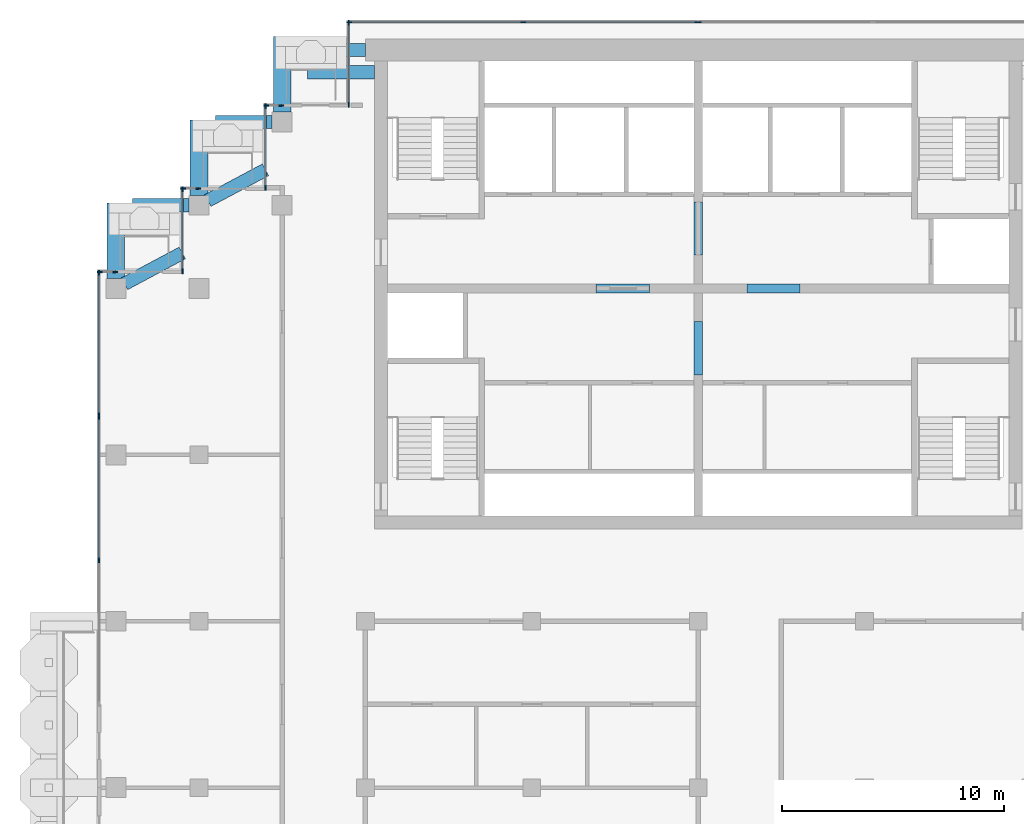
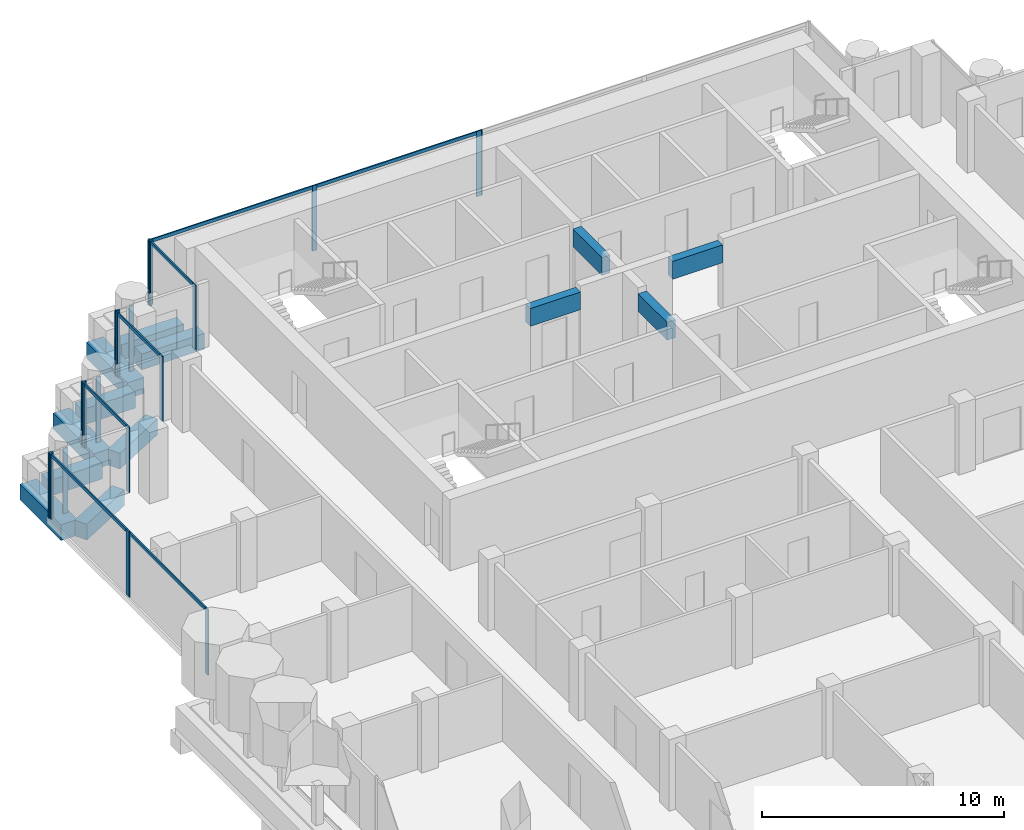
# One storey, part 5 of 18: 27 members, 13 beams, 10 elements without a shape of their own.
"""IFC4 building model written with IfcOpenShell, lengths in metres."""

from ifc_helpers import new_model, si_unit, direction, frame, origin, origin_2d, place, context, subcontext, project, spatial, rectangle, extrude, material, material_profile, profile_set, type_object, element, aggregate, save


model = new_model("IFC4")

# Units and contexts
model_context = context("Model", 3, precision=1e-05, world=origin(), true_north=direction((0.0, 1.0)))
body_context = subcontext(model_context, "Body", "Model", "MODEL_VIEW")
ifc_project = project(units=[si_unit("LENGTHUNIT", "METRE"), si_unit("AREAUNIT", "SQUARE_METRE"), si_unit("VOLUMEUNIT", "CUBIC_METRE"), si_unit("PLANEANGLEUNIT", "RADIAN"), si_unit("MASSUNIT", "GRAM", prefix="KILO")], contexts=[model_context])

# Site, building, storey
site_placement = place(None, origin())
site = spatial("IfcSite", under=ifc_project, at=site_placement, CompositionType="ELEMENT")
building_placement = place(site_placement, origin())
building = spatial("IfcBuilding", under=site, at=building_placement, Name="Pilkhan Gate Tower", CompositionType="ELEMENT")
storey_placement = place(building_placement, frame((0.0, 0.0, 231.89990234375)))
storey = spatial("IfcBuildingStorey", under=building, at=storey_placement, Name="L60", CompositionType="ELEMENT", Elevation=231.89990234375)

# Beams
ifc_material_1 = material(Name="Concrete C50/60", Category="concrete")
ifc_material_profile_1 = material_profile(ifc_material_1, rectangle(XDim=0.60009765625, YDim=0.800048828125, at=origin_2d()), Name="RC 600x800")
ifc_profile_set_1 = profile_set([ifc_material_profile_1], Name="Concrete C50/60")
beam_type_1 = type_object("IfcBeamType", Name="Cantilever beam CB1 RC 600x800 C50/60", PredefinedType="BEAM", material=ifc_profile_set_1)
for number, where, z_axis, x_axis, name in (
    (1, (60.0, 93.25, -0.699951171875), (-1.0, 0.0, 0.0), (0.0, -1.0, 0.0), "Balcony beam NW.2 L60"),
    (2, (60.39990234375, 92.25, -0.699951171875), (-1.0, 0.0, 0.0), (0.0, -1.0, 0.0), "Balcony beam NW.3 L60"),
):
    element("IfcBeam", number, at=place(storey_placement, frame(where, z_axis=z_axis, x_axis=x_axis)), inside=storey, type_object=beam_type_1, Name=name, PredefinedType="BEAM", context=body_context, shape_type="SweptSolid", body=[
        extrude(rectangle(XDim=0.60009765625, YDim=0.800048828125, at=origin_2d()), origin(), (0.0, 0.0, 1.0), 3.0),
    ])
beam_1_placement = place(storey_placement, frame((55.800048828125, 90.0, -0.699951171875), z_axis=(-1.0, 0.0, 0.0), x_axis=(0.0, -1.0, 0.0)))
element("IfcBeam", 3, at=beam_1_placement, inside=storey, type_object=beam_type_1, Name="Balcony beam NW1.2 L60", PredefinedType="BEAM", context=body_context, shape_type="SweptSolid", body=[
    extrude(rectangle(XDim=0.60009765625, YDim=0.800048828125, at=origin_2d()), origin(), (0.0, 0.0, 1.0), 2.550048828125),
])
beam_2_placement = place(storey_placement, frame((52.89697265625, 86.461669921875, -0.699951171875), z_axis=(0.882332323202, 0.470626891957, 0.0), x_axis=(-0.470626891957, 0.882332323202, 0.0)))
element("IfcBeam", 4, at=beam_2_placement, inside=storey, type_object=beam_type_1, Name="Balcony beam NW1.3 L60", PredefinedType="BEAM", context=body_context, shape_type="SweptSolid", body=[
    extrude(rectangle(XDim=0.60009765625, YDim=0.800048828125, at=origin_2d()), origin(), (0.0, 0.0, 1.0), 2.9501953125),
])
beam_3_placement = place(storey_placement, frame((52.050048828125, 86.25, -0.699951171875), z_axis=(-1.0, 0.0, 0.0), x_axis=(0.0, -1.0, 0.0)))
element("IfcBeam", 5, at=beam_3_placement, inside=storey, type_object=beam_type_1, Name="Balcony beam NW2.2 L60", PredefinedType="BEAM", context=body_context, shape_type="SweptSolid", body=[
    extrude(rectangle(XDim=0.60009765625, YDim=0.800048828125, at=origin_2d()), origin(), (0.0, 0.0, 1.0), 2.550048828125),
])
beam_4_placement = place(storey_placement, frame((49.14697265625, 82.711669921875, -0.699951171875), z_axis=(0.882332323202, 0.470626891957, 0.0), x_axis=(-0.470626891957, 0.882332323202, 0.0)))
element("IfcBeam", 6, at=beam_4_placement, inside=storey, type_object=beam_type_1, Name="Balcony beam NW2.3 L60", PredefinedType="BEAM", context=body_context, shape_type="SweptSolid", body=[
    extrude(rectangle(XDim=0.60009765625, YDim=0.800048828125, at=origin_2d()), origin(), (0.0, 0.0, 1.0), 2.9501953125),
])
ifc_material_profile_2 = material_profile(ifc_material_1, rectangle(XDim=0.800048828125, YDim=0.800048828125, at=origin_2d()), Name="RC 800x800")
ifc_profile_set_2 = profile_set([ifc_material_profile_2], Name="Concrete C50/60")
beam_type_2 = type_object("IfcBeamType", Name="Cantilever beam CB2 RC 800x800 C50/60", PredefinedType="BEAM", material=ifc_profile_set_2)
for number, where, z_axis, x_axis, name in (
    (7, (56.25, 90.449951171875, -0.699951171875), (0.0, 1.0, 0.0), (-1.0, 0.0, 0.0), "Balcony beam NW.1 L60"),
    (8, (52.5, 86.699951171875, -0.699951171875), (0.0, 1.0, 0.0), (-1.0, 0.0, 0.0), "Balcony beam NW1.1 L60"),
    (9, (48.75, 82.949951171875, -0.699951171875), (0.0, 1.0, 0.0), (-1.0, 0.0, 0.0), "Balcony beam NW2.1 L60"),
):
    element("IfcBeam", number, at=place(storey_placement, frame(where, z_axis=z_axis, x_axis=x_axis)), inside=storey, type_object=beam_type_2, Name=name, PredefinedType="BEAM", context=body_context, shape_type="SweptSolid", body=[
        extrude(rectangle(XDim=0.800048828125, YDim=0.800048828125, at=origin_2d()), origin(), (0.0, 0.0, 1.0), 3.400146484375),
    ])
ifc_material_profile_3 = material_profile(ifc_material_1, rectangle(XDim=0.39990234375, YDim=0.89990234375, at=origin_2d()), Name="RC 400x900")
ifc_profile_set_3 = profile_set([ifc_material_profile_3], Name="Concrete C50/60")
beam_type_3 = type_object("IfcBeamType", Name="Coupling beam CB90-4 RC 400x900 C50/60", PredefinedType="LINTEL", material=ifc_profile_set_3)
for number, where, z_axis, x_axis, name in (
    (10, (70.39990234375, 82.5, 2.85009765625), (1.0, 0.0, 0.0), (0.0, 1.0, 0.0), "Coupling beam 1 L60"),
    (11, (77.199951171875, 82.5, 2.85009765625), (1.0, 0.0, 0.0), (0.0, 1.0, 0.0), "Coupling beam 2 L60"),
):
    element("IfcBeam", number, at=place(storey_placement, frame(where, z_axis=z_axis, x_axis=x_axis)), inside=storey, type_object=beam_type_3, Name=name, PredefinedType="LINTEL", context=body_context, shape_type="SweptSolid", body=[
        extrude(rectangle(XDim=0.39990234375, YDim=0.89990234375, at=origin_2d()), origin(), (0.0, 0.0, 1.0), 2.400146484375),
    ])
for number, where, z_axis, x_axis, name in (
    (12, (75.0, 78.60009765625, 2.85009765625), (0.0, 1.0, 0.0), (-1.0, 0.0, 0.0), "Coupling beam 3 L60"),
    (13, (75.0, 84.0, 2.85009765625), (0.0, 1.0, 0.0), (-1.0, 0.0, 0.0), "Coupling beam 4 L60"),
):
    element("IfcBeam", number, at=place(storey_placement, frame(where, z_axis=z_axis, x_axis=x_axis)), inside=storey, type_object=beam_type_3, Name=name, PredefinedType="LINTEL", context=body_context, shape_type="SweptSolid", body=[
        extrude(rectangle(XDim=0.39990234375, YDim=0.89990234375, at=origin_2d()), origin(), (0.0, 0.0, 1.0), 2.39990234375),
    ])

# Curtain wall, members
ifc_material_2 = material(Name="Pale anodised aluminium, clear low-iron double glazing", Category="aluminium")
curtain_wall_type = type_object("IfcCurtainWallType", Name="Office unitised curtain wall CW-O2", PredefinedType="USERDEFINED", material=ifc_material_2)
curtain_wall_1_placement = place(storey_placement, origin())
curtain_wall_1 = element("IfcCurtainWall", 14, at=curtain_wall_1_placement, inside=storey, type_object=curtain_wall_type, Name="Office unitised curtain wall CW-O2 L60 N", ObjectType="UNITISED CURTAIN WALL", PredefinedType="USERDEFINED")
ifc_material_3 = material(Name="Pale anodised aluminium", Category="aluminium")
ifc_material_profile_4 = material_profile(ifc_material_3, rectangle(XDim=0.06494140625, YDim=0.22509765625, at=origin_2d()), Name="Mullion 225x65")
ifc_profile_set_4 = profile_set([ifc_material_profile_4], Name="Pale anodised aluminium")
member_type_1 = type_object("IfcMemberType", Name="Mullion CW-O2 225x65", PredefinedType="MULLION", material=ifc_profile_set_4)
member_1_placement = place(storey_placement, frame((59.282470703125, 94.5, 0.0), z_axis=(0.0, 0.0, 1.0), x_axis=(0.0, 1.0, 0.0)))
member_1 = element("IfcMember", 15, at=member_1_placement, type_object=member_type_1, Name="CW-O2 mullion 1", PredefinedType="MULLION", context=body_context, shape_type="SweptSolid", body=[
    extrude(rectangle(XDim=0.06494140625, YDim=0.22509765625, at=origin_2d()), origin(), (0.0, 0.0, 1.0), 3.300048828125),
])
member_2_placement = place(storey_placement, frame((67.125, 94.5, 0.0), z_axis=(0.0, 0.0, 1.0), x_axis=(0.0, 1.0, 0.0)))
member_2 = element("IfcMember", 16, at=member_2_placement, type_object=member_type_1, Name="CW-O2 mullion 2", PredefinedType="MULLION", context=body_context, shape_type="SweptSolid", body=[
    extrude(rectangle(XDim=0.06494140625, YDim=0.22509765625, at=origin_2d()), origin(), (0.0, 0.0, 1.0), 3.300048828125),
])
member_3_placement = place(storey_placement, frame((74.967529296875, 94.5, 0.0), z_axis=(0.0, 0.0, 1.0), x_axis=(0.0, 1.0, 0.0)))
member_3 = element("IfcMember", 17, at=member_3_placement, type_object=member_type_1, Name="CW-O2 mullion 3", PredefinedType="MULLION", context=body_context, shape_type="SweptSolid", body=[
    extrude(rectangle(XDim=0.06494140625, YDim=0.22509765625, at=origin_2d()), origin(), (0.0, 0.0, 1.0), 3.300048828125),
])

# Curtain wall, member
curtain_wall_2_placement = place(storey_placement, origin())
curtain_wall_2 = element("IfcCurtainWall", 18, at=curtain_wall_2_placement, inside=storey, type_object=curtain_wall_type, Name="Office unitised curtain wall CW-O2 L60 N", ObjectType="UNITISED CURTAIN WALL", PredefinedType="USERDEFINED")
member_4_placement = place(storey_placement, frame((75.032470703125, 94.5, 0.0), z_axis=(0.0, 0.0, 1.0), x_axis=(0.0, 1.0, 0.0)))
member_4 = element("IfcMember", 19, at=member_4_placement, type_object=member_type_1, Name="CW-O2 mullion 1", PredefinedType="MULLION", context=body_context, shape_type="SweptSolid", body=[
    extrude(rectangle(XDim=0.06494140625, YDim=0.22509765625, at=origin_2d()), origin(), (0.0, 0.0, 1.0), 3.300048828125),
])
aggregate(curtain_wall_2, [member_4])

# Curtain wall, members
curtain_wall_3_placement = place(storey_placement, origin())
curtain_wall_3 = element("IfcCurtainWall", 20, at=curtain_wall_3_placement, inside=storey, type_object=curtain_wall_type, Name="Office unitised curtain wall CW-O2 L60 W", ObjectType="UNITISED CURTAIN WALL", PredefinedType="USERDEFINED")
member_5_placement = place(storey_placement, frame((59.25, 90.782470703125, 0.0), z_axis=(0.0, 0.0, 1.0), x_axis=(-1.0, 0.0, 0.0)))
member_5 = element("IfcMember", 21, at=member_5_placement, type_object=member_type_1, Name="CW-O2 mullion 1", PredefinedType="MULLION", context=body_context, shape_type="SweptSolid", body=[
    extrude(rectangle(XDim=0.06494140625, YDim=0.22509765625, at=origin_2d()), origin(), (0.0, 0.0, 1.0), 3.300048828125),
])
member_6_placement = place(storey_placement, frame((59.25, 94.467529296875, 0.0), z_axis=(0.0, 0.0, 1.0), x_axis=(-1.0, 0.0, 0.0)))
member_6 = element("IfcMember", 22, at=member_6_placement, type_object=member_type_1, Name="CW-O2 mullion 2", PredefinedType="MULLION", context=body_context, shape_type="SweptSolid", body=[
    extrude(rectangle(XDim=0.06494140625, YDim=0.22509765625, at=origin_2d()), origin(), (0.0, 0.0, 1.0), 3.300048828125),
])

curtain_wall_4_placement = place(storey_placement, origin())
curtain_wall_4 = element("IfcCurtainWall", 23, at=curtain_wall_4_placement, inside=storey, type_object=curtain_wall_type, Name="Office unitised curtain wall CW-O2 L60 N", ObjectType="UNITISED CURTAIN WALL", PredefinedType="USERDEFINED")
member_7_placement = place(storey_placement, frame((55.532470703125, 90.75, 0.0), z_axis=(0.0, 0.0, 1.0), x_axis=(0.0, 1.0, 0.0)))
member_7 = element("IfcMember", 24, at=member_7_placement, type_object=member_type_1, Name="CW-O2 mullion 1", PredefinedType="MULLION", context=body_context, shape_type="SweptSolid", body=[
    extrude(rectangle(XDim=0.06494140625, YDim=0.22509765625, at=origin_2d()), origin(), (0.0, 0.0, 1.0), 3.300048828125),
])
member_8_placement = place(storey_placement, frame((56.217529296875, 90.75, 0.0), z_axis=(0.0, 0.0, 1.0), x_axis=(0.0, 1.0, 0.0)))
member_8 = element("IfcMember", 25, at=member_8_placement, type_object=member_type_1, Name="CW-O2 mullion 2", PredefinedType="MULLION", context=body_context, shape_type="SweptSolid", body=[
    extrude(rectangle(XDim=0.06494140625, YDim=0.22509765625, at=origin_2d()), origin(), (0.0, 0.0, 1.0), 3.300048828125),
])
aggregate(curtain_wall_4, [member_7, member_8])

curtain_wall_5_placement = place(storey_placement, origin())
curtain_wall_5 = element("IfcCurtainWall", 26, at=curtain_wall_5_placement, inside=storey, type_object=curtain_wall_type, Name="Office unitised curtain wall CW-O2 L60 W", ObjectType="UNITISED CURTAIN WALL", PredefinedType="USERDEFINED")
member_9_placement = place(storey_placement, frame((55.5, 87.032470703125, 0.0), z_axis=(0.0, 0.0, 1.0), x_axis=(-1.0, 0.0, 0.0)))
member_9 = element("IfcMember", 27, at=member_9_placement, type_object=member_type_1, Name="CW-O2 mullion 1", PredefinedType="MULLION", context=body_context, shape_type="SweptSolid", body=[
    extrude(rectangle(XDim=0.06494140625, YDim=0.22509765625, at=origin_2d()), origin(), (0.0, 0.0, 1.0), 3.300048828125),
])
member_10_placement = place(storey_placement, frame((55.5, 90.717529296875, 0.0), z_axis=(0.0, 0.0, 1.0), x_axis=(-1.0, 0.0, 0.0)))
member_10 = element("IfcMember", 28, at=member_10_placement, type_object=member_type_1, Name="CW-O2 mullion 2", PredefinedType="MULLION", context=body_context, shape_type="SweptSolid", body=[
    extrude(rectangle(XDim=0.06494140625, YDim=0.22509765625, at=origin_2d()), origin(), (0.0, 0.0, 1.0), 3.300048828125),
])

curtain_wall_6_placement = place(storey_placement, origin())
curtain_wall_6 = element("IfcCurtainWall", 29, at=curtain_wall_6_placement, inside=storey, type_object=curtain_wall_type, Name="Office unitised curtain wall CW-O2 L60 N", ObjectType="UNITISED CURTAIN WALL", PredefinedType="USERDEFINED")
member_11_placement = place(storey_placement, frame((51.782470703125, 87.0, 0.0), z_axis=(0.0, 0.0, 1.0), x_axis=(0.0, 1.0, 0.0)))
member_11 = element("IfcMember", 30, at=member_11_placement, type_object=member_type_1, Name="CW-O2 mullion 1", PredefinedType="MULLION", context=body_context, shape_type="SweptSolid", body=[
    extrude(rectangle(XDim=0.06494140625, YDim=0.22509765625, at=origin_2d()), origin(), (0.0, 0.0, 1.0), 3.300048828125),
])
member_12_placement = place(storey_placement, frame((52.467529296875, 87.0, 0.0), z_axis=(0.0, 0.0, 1.0), x_axis=(0.0, 1.0, 0.0)))
member_12 = element("IfcMember", 31, at=member_12_placement, type_object=member_type_1, Name="CW-O2 mullion 2", PredefinedType="MULLION", context=body_context, shape_type="SweptSolid", body=[
    extrude(rectangle(XDim=0.06494140625, YDim=0.22509765625, at=origin_2d()), origin(), (0.0, 0.0, 1.0), 3.300048828125),
])
aggregate(curtain_wall_6, [member_11, member_12])

curtain_wall_7_placement = place(storey_placement, origin())
curtain_wall_7 = element("IfcCurtainWall", 32, at=curtain_wall_7_placement, inside=storey, type_object=curtain_wall_type, Name="Office unitised curtain wall CW-O2 L60 W", ObjectType="UNITISED CURTAIN WALL", PredefinedType="USERDEFINED")
member_13_placement = place(storey_placement, frame((51.75, 83.282470703125, 0.0), z_axis=(0.0, 0.0, 1.0), x_axis=(-1.0, 0.0, 0.0)))
member_13 = element("IfcMember", 33, at=member_13_placement, type_object=member_type_1, Name="CW-O2 mullion 1", PredefinedType="MULLION", context=body_context, shape_type="SweptSolid", body=[
    extrude(rectangle(XDim=0.06494140625, YDim=0.22509765625, at=origin_2d()), origin(), (0.0, 0.0, 1.0), 3.300048828125),
])
member_14_placement = place(storey_placement, frame((51.75, 86.967529296875, 0.0), z_axis=(0.0, 0.0, 1.0), x_axis=(-1.0, 0.0, 0.0)))
member_14 = element("IfcMember", 34, at=member_14_placement, type_object=member_type_1, Name="CW-O2 mullion 2", PredefinedType="MULLION", context=body_context, shape_type="SweptSolid", body=[
    extrude(rectangle(XDim=0.06494140625, YDim=0.22509765625, at=origin_2d()), origin(), (0.0, 0.0, 1.0), 3.300048828125),
])

curtain_wall_8_placement = place(storey_placement, origin())
curtain_wall_8 = element("IfcCurtainWall", 35, at=curtain_wall_8_placement, inside=storey, type_object=curtain_wall_type, Name="Office unitised curtain wall CW-O2 L60 N", ObjectType="UNITISED CURTAIN WALL", PredefinedType="USERDEFINED")
member_15_placement = place(storey_placement, frame((48.032470703125, 83.25, 0.0), z_axis=(0.0, 0.0, 1.0), x_axis=(0.0, 1.0, 0.0)))
member_15 = element("IfcMember", 36, at=member_15_placement, type_object=member_type_1, Name="CW-O2 mullion 1", PredefinedType="MULLION", context=body_context, shape_type="SweptSolid", body=[
    extrude(rectangle(XDim=0.06494140625, YDim=0.22509765625, at=origin_2d()), origin(), (0.0, 0.0, 1.0), 3.300048828125),
])
member_16_placement = place(storey_placement, frame((48.717529296875, 83.25, 0.0), z_axis=(0.0, 0.0, 1.0), x_axis=(0.0, 1.0, 0.0)))
member_16 = element("IfcMember", 37, at=member_16_placement, type_object=member_type_1, Name="CW-O2 mullion 2", PredefinedType="MULLION", context=body_context, shape_type="SweptSolid", body=[
    extrude(rectangle(XDim=0.06494140625, YDim=0.22509765625, at=origin_2d()), origin(), (0.0, 0.0, 1.0), 3.300048828125),
])
aggregate(curtain_wall_8, [member_15, member_16])

curtain_wall_9_placement = place(storey_placement, origin())
curtain_wall_9 = element("IfcCurtainWall", 38, at=curtain_wall_9_placement, inside=storey, type_object=curtain_wall_type, Name="Office unitised curtain wall CW-O2 L60 W", ObjectType="UNITISED CURTAIN WALL", PredefinedType="USERDEFINED")
member_17_placement = place(storey_placement, frame((48.0, 70.25, 0.0), z_axis=(0.0, 0.0, 1.0), x_axis=(-1.0, 0.0, 0.0)))
member_17 = element("IfcMember", 39, at=member_17_placement, type_object=member_type_1, Name="CW-O2 mullion 2", PredefinedType="MULLION", context=body_context, shape_type="SweptSolid", body=[
    extrude(rectangle(XDim=0.06494140625, YDim=0.22509765625, at=origin_2d()), origin(), (0.0, 0.0, 1.0), 3.300048828125),
])
member_18_placement = place(storey_placement, frame((48.0, 76.717529296875, 0.0), z_axis=(0.0, 0.0, 1.0), x_axis=(-1.0, 0.0, 0.0)))
member_18 = element("IfcMember", 40, at=member_18_placement, type_object=member_type_1, Name="CW-O2 mullion 3", PredefinedType="MULLION", context=body_context, shape_type="SweptSolid", body=[
    extrude(rectangle(XDim=0.06494140625, YDim=0.22509765625, at=origin_2d()), origin(), (0.0, 0.0, 1.0), 3.300048828125),
])

curtain_wall_10_placement = place(storey_placement, origin())
curtain_wall_10 = element("IfcCurtainWall", 41, at=curtain_wall_10_placement, inside=storey, type_object=curtain_wall_type, Name="Office unitised curtain wall CW-O2 L60 W", ObjectType="UNITISED CURTAIN WALL", PredefinedType="USERDEFINED")
member_19_placement = place(storey_placement, frame((48.0, 76.782470703125, 0.0), z_axis=(0.0, 0.0, 1.0), x_axis=(-1.0, 0.0, 0.0)))
member_19 = element("IfcMember", 42, at=member_19_placement, type_object=member_type_1, Name="CW-O2 mullion 1", PredefinedType="MULLION", context=body_context, shape_type="SweptSolid", body=[
    extrude(rectangle(XDim=0.06494140625, YDim=0.22509765625, at=origin_2d()), origin(), (0.0, 0.0, 1.0), 3.300048828125),
])
member_20_placement = place(storey_placement, frame((48.0, 83.217529296875, 0.0), z_axis=(0.0, 0.0, 1.0), x_axis=(-1.0, 0.0, 0.0)))
member_20 = element("IfcMember", 43, at=member_20_placement, type_object=member_type_1, Name="CW-O2 mullion 2", PredefinedType="MULLION", context=body_context, shape_type="SweptSolid", body=[
    extrude(rectangle(XDim=0.06494140625, YDim=0.22509765625, at=origin_2d()), origin(), (0.0, 0.0, 1.0), 3.300048828125),
])

# Member
ifc_material_profile_5 = material_profile(ifc_material_3, rectangle(XDim=0.06494140625, YDim=0.1650390625, at=origin_2d()), Name="Transom 165x65")
ifc_profile_set_5 = profile_set([ifc_material_profile_5], Name="Pale anodised aluminium")
member_type_2 = type_object("IfcMemberType", Name="Transom CW-O2 165x65", PredefinedType="USERDEFINED", material=ifc_profile_set_5)
member_21_placement = place(storey_placement, frame((59.31494140625, 94.5, 3.217529296875), z_axis=(1.0, 0.0, 0.0), x_axis=(0.0, 1.0, 0.0)))
member_21 = element("IfcMember", 44, at=member_21_placement, type_object=member_type_2, Name="CW-O2 transom 1", ObjectType="TRANSOM", PredefinedType="USERDEFINED", context=body_context, shape_type="SweptSolid", body=[
    extrude(rectangle(XDim=0.06494140625, YDim=0.1650390625, at=origin_2d()), origin(), (0.0, 0.0, 1.0), 7.777587890625),
])

member_22_placement = place(storey_placement, frame((67.157470703125, 94.5, 3.217529296875), z_axis=(1.0, 0.0, 0.0), x_axis=(0.0, 1.0, 0.0)))
member_22 = element("IfcMember", 45, at=member_22_placement, type_object=member_type_2, Name="CW-O2 transom 2", ObjectType="TRANSOM", PredefinedType="USERDEFINED", context=body_context, shape_type="SweptSolid", body=[
    extrude(rectangle(XDim=0.06494140625, YDim=0.1650390625, at=origin_2d()), origin(), (0.0, 0.0, 1.0), 7.777587890625),
])

aggregate(curtain_wall_1, [member_1, member_2, member_3, member_21, member_22])

member_23_placement = place(storey_placement, frame((59.25, 90.81494140625, 3.217529296875), z_axis=(0.0, 1.0, 0.0), x_axis=(-1.0, 0.0, 0.0)))
member_23 = element("IfcMember", 46, at=member_23_placement, type_object=member_type_2, Name="CW-O2 transom 1", ObjectType="TRANSOM", PredefinedType="USERDEFINED", context=body_context, shape_type="SweptSolid", body=[
    extrude(rectangle(XDim=0.06494140625, YDim=0.1650390625, at=origin_2d()), origin(), (0.0, 0.0, 1.0), 3.6201171875),
])

aggregate(curtain_wall_3, [member_5, member_6, member_23])

member_24_placement = place(storey_placement, frame((55.5, 87.06494140625, 3.217529296875), z_axis=(0.0, 1.0, 0.0), x_axis=(-1.0, 0.0, 0.0)))
member_24 = element("IfcMember", 47, at=member_24_placement, type_object=member_type_2, Name="CW-O2 transom 1", ObjectType="TRANSOM", PredefinedType="USERDEFINED", context=body_context, shape_type="SweptSolid", body=[
    extrude(rectangle(XDim=0.06494140625, YDim=0.1650390625, at=origin_2d()), origin(), (0.0, 0.0, 1.0), 3.6201171875),
])

aggregate(curtain_wall_5, [member_9, member_10, member_24])

member_25_placement = place(storey_placement, frame((51.75, 83.31494140625, 3.217529296875), z_axis=(0.0, 1.0, 0.0), x_axis=(-1.0, 0.0, 0.0)))
member_25 = element("IfcMember", 48, at=member_25_placement, type_object=member_type_2, Name="CW-O2 transom 1", ObjectType="TRANSOM", PredefinedType="USERDEFINED", context=body_context, shape_type="SweptSolid", body=[
    extrude(rectangle(XDim=0.06494140625, YDim=0.1650390625, at=origin_2d()), origin(), (0.0, 0.0, 1.0), 3.6201171875),
])

aggregate(curtain_wall_7, [member_13, member_14, member_25])

member_26_placement = place(storey_placement, frame((48.0, 70.282470703125, 3.217529296875), z_axis=(0.0, 1.0, 0.0), x_axis=(-1.0, 0.0, 0.0)))
member_26 = element("IfcMember", 49, at=member_26_placement, type_object=member_type_2, Name="CW-O2 transom 2", ObjectType="TRANSOM", PredefinedType="USERDEFINED", context=body_context, shape_type="SweptSolid", body=[
    extrude(rectangle(XDim=0.06494140625, YDim=0.1650390625, at=origin_2d()), origin(), (0.0, 0.0, 1.0), 6.402587890625),
])

aggregate(curtain_wall_9, [member_17, member_18, member_26])

member_27_placement = place(storey_placement, frame((48.0, 76.81494140625, 3.217529296875), z_axis=(0.0, 1.0, 0.0), x_axis=(-1.0, 0.0, 0.0)))
member_27 = element("IfcMember", 50, at=member_27_placement, type_object=member_type_2, Name="CW-O2 transom 1", ObjectType="TRANSOM", PredefinedType="USERDEFINED", context=body_context, shape_type="SweptSolid", body=[
    extrude(rectangle(XDim=0.06494140625, YDim=0.1650390625, at=origin_2d()), origin(), (0.0, 0.0, 1.0), 6.3701171875),
])

aggregate(curtain_wall_10, [member_19, member_20, member_27])

save(model, "model.ifc")
